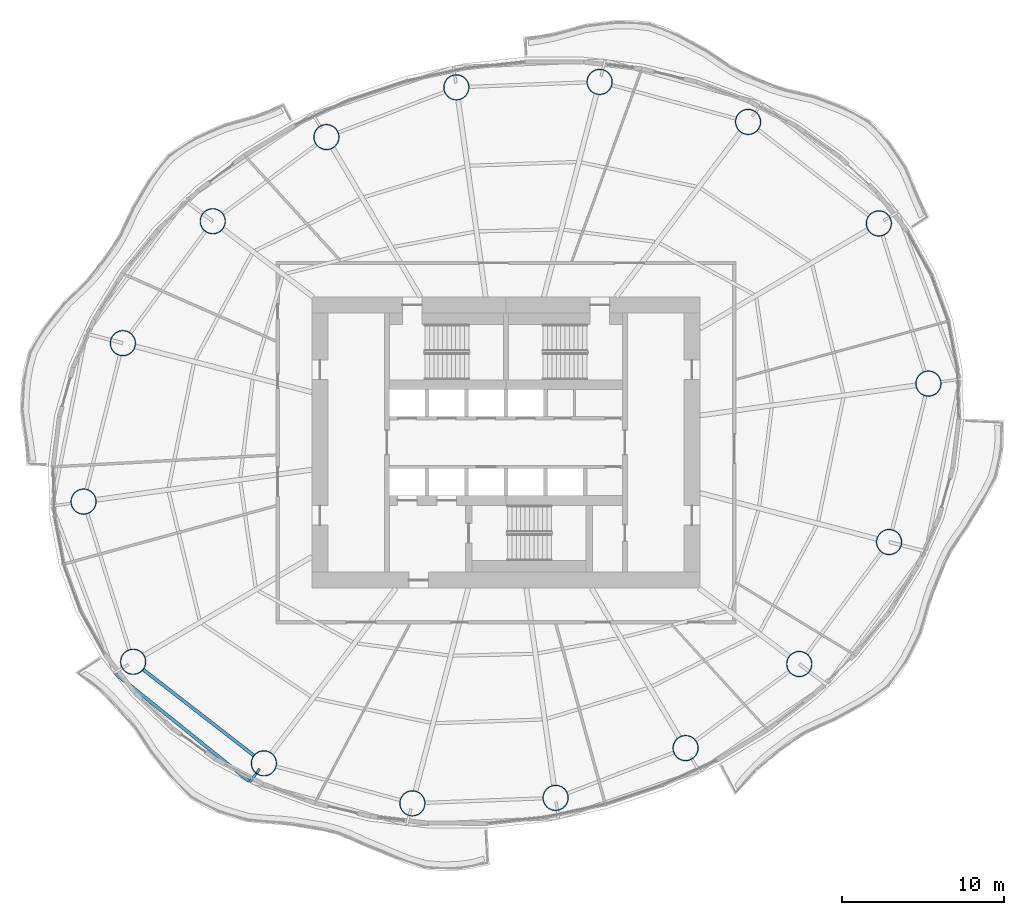
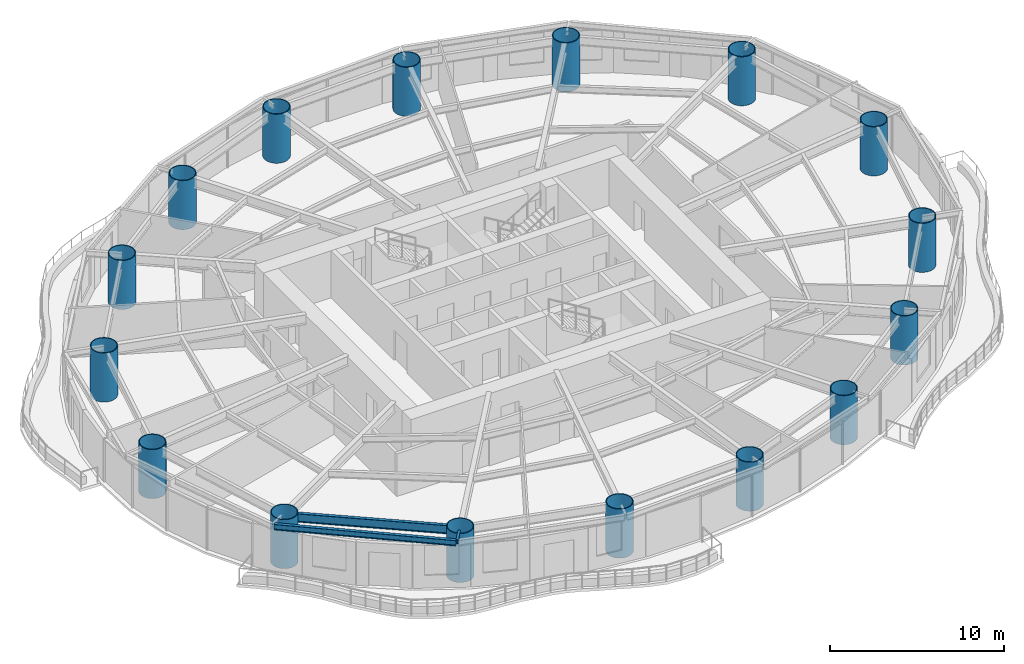
# One storey, part 1 of 16: 16 columns, 3 beams.
"""IFC4 building model written with IfcOpenShell, lengths in metres."""

from ifc_helpers import new_model, si_unit, direction, frame, origin, origin_2d, place, context, subcontext, project, spatial, hollow_circle, i_section, extrude, material, material_profile, profile_set, type_object, element, save


model = new_model("IFC4")

# Units and contexts
model_context = context("Model", 3, precision=1e-05, world=origin(), true_north=direction((0.0, 1.0)))
body_context = subcontext(model_context, "Body", "Model", "MODEL_VIEW")
ifc_project = project(units=[si_unit("LENGTHUNIT", "METRE"), si_unit("AREAUNIT", "SQUARE_METRE"), si_unit("VOLUMEUNIT", "CUBIC_METRE"), si_unit("PLANEANGLEUNIT", "RADIAN"), si_unit("MASSUNIT", "GRAM", prefix="KILO")], contexts=[model_context])

# Site, building, storey
site_placement = place(None, origin())
site = spatial("IfcSite", under=ifc_project, at=site_placement, CompositionType="ELEMENT")
building_placement = place(site_placement, origin())
building = spatial("IfcBuilding", under=site, at=building_placement, Name="Vermilion Reach Broadcast Tower", CompositionType="ELEMENT")
storey_placement = place(building_placement, frame((0.0, 0.0, 95.800048828125)))
storey = spatial("IfcBuildingStorey", under=building, at=storey_placement, Name="L21", CompositionType="ELEMENT", Elevation=95.800048828125)

# Columns
ifc_material_1 = material(Name="Concrete C80 infill in steel S460NL tube", Category="concrete")
ifc_material_profile_1 = material_profile(ifc_material_1, hollow_circle(Radius=0.800048828125, WallThickness=0.054931640625, at=origin_2d()), Name="Concrete C80 infill in steel S460NL tube CFT 1600x55")
ifc_profile_set_1 = profile_set([ifc_material_profile_1], Name="Concrete C80 infill in steel S460NL tube")
column_type = type_object("IfcColumnType", Name="MC2 CFT 1600x55", PredefinedType="COLUMN", material=ifc_profile_set_1)
for number, where, z_axis, x_axis, name in (
    (1, (17.04345703125, 13.546630859375, 0.0), (0.0, 0.0, 1.0), (1.0, 0.0, 0.0), "Mega-column MC2-01"),
    (2, (8.96337890625, 19.821044921875, 0.0), (0.0, 0.0, 1.0), (1.0, 0.0, 0.0), "Mega-column MC2-02"),
    (3, (-0.21337890625, 22.29443359375, 0.0), (0.0, 0.0, 1.0), (1.0, 0.0, 0.0), "Mega-column MC2-03"),
    (4, (-9.066162109375, 21.955810546875, 0.0), (0.0, 0.0, 1.0), (1.0, 0.0, 0.0), "Mega-column MC2-04"),
    (5, (-17.099609375, 18.881103515625, 0.0), (0.0, 0.0, 1.0), (1.0, 0.0, 0.0), "Mega-column MC2-05"),
    (6, (-24.12451171875, 13.6826171875, 0.0), (0.0, 0.0, 1.0), (1.0, 0.0, 0.0), "Mega-column MC2-06"),
    (7, (-29.6787109375, 6.145751953125, 0.0), (0.0, 0.0, 1.0), (1.0, 0.0, 0.0), "Mega-column MC2-07"),
    (8, (-32.10888671875, -3.646240234375, 0.0), (0.0, 0.0, 1.0), (1.0, 0.0, 0.0), "Mega-column MC2-08"),
    (9, (-29.04345703125, -13.546630859375, 0.0), (0.0, 0.0, 1.0), (1.0, 0.0, 0.0), "Mega-column MC2-09"),
    (10, (-20.96337890625, -19.821044921875, 0.0), (0.0, 0.0, 1.0), (1.0, 0.0, 0.0), "Mega-column MC2-10"),
    (11, (-11.78662109375, -22.29443359375, 0.0), (0.0, 0.0, 1.0), (1.0, 0.0, 0.0), "Mega-column MC2-11"),
    (12, (-2.933837890625, -21.955810546875, 0.0), (0.0, 0.0, 1.0), (1.0, 0.0, 0.0), "Mega-column MC2-12"),
    (13, (5.099609375, -18.881103515625, 0.0), (0.0, 0.0, 1.0), (1.0, 0.0, 0.0), "Mega-column MC2-13"),
    (14, (12.12451171875, -13.6826171875, 0.0), (0.0, 0.0, 1.0), (1.0, 0.0, 0.0), "Mega-column MC2-14"),
    (15, (17.6787109375, -6.145751953125, 0.0), (0.0, 0.0, 1.0), (1.0, 0.0, 0.0), "Mega-column MC2-15"),
    (16, (20.10888671875, 3.646240234375, 0.0), (0.0, 0.0, 1.0), (1.0, 0.0, 0.0), "Mega-column MC2-16"),
):
    element("IfcColumn", number, at=place(storey_placement, frame(where, z_axis=z_axis, x_axis=x_axis)), inside=storey, type_object=column_type, Name=name, PredefinedType="COLUMN", context=body_context, shape_type="SweptSolid", body=[
        extrude(hollow_circle(Radius=0.800048828125, WallThickness=0.054931640625, at=origin_2d()), origin(), (0.0, 0.0, 1.0), 3.449951171875),
    ])

# Beams
ifc_material_2 = material(Name="Steel S355J2", Category="steel")
ifc_material_profile_2 = material_profile(ifc_material_2, i_section(OverallWidth=0.199951171875, OverallDepth=0.39990234375, WebThickness=0.008056640625, FlangeThickness=0.012939453125, at=origin_2d()), Name="S355J2 HN 400x200x8x13")
ifc_profile_set_2 = profile_set([ifc_material_profile_2], Name="Steel S355J2")
beam_type_1 = type_object("IfcBeamType", Name="EB2 HN 400x200x8x13", PredefinedType="BEAM", material=ifc_profile_set_2)
beam_1_placement = place(storey_placement, frame((-30.13671875, -14.2763671875, 3.25), z_axis=(0.779127549678, -0.626865425217, 0.0), x_axis=(0.626865425217, 0.779127549678, 0.0)))
element("IfcBeam", 17, at=beam_1_placement, inside=storey, type_object=beam_type_1, Name="Edge beam EB2-09", PredefinedType="BEAM", context=body_context, shape_type="SweptSolid", body=[
    extrude(i_section(OverallWidth=0.199951171875, OverallDepth=0.39990234375, WebThickness=0.008056640625, FlangeThickness=0.012939453125, at=origin_2d()), origin(), (0.0, 0.0, 1.0), 10.59228515625),
])
ifc_material_3 = material(Name="Steel S355J2", Category="steel")
ifc_material_profile_3 = material_profile(ifc_material_3, i_section(OverallWidth=0.14990234375, OverallDepth=0.300048828125, WebThickness=0.006591796875, FlangeThickness=0.009033203125, at=origin_2d()), Name="S355J2 HN 300x150x6.5x9")
ifc_profile_set_3 = profile_set([ifc_material_profile_3], Name="Steel S355J2")
beam_type_2 = type_object("IfcBeamType", Name="GS2 HN 300x150x6.5x9", PredefinedType="BEAM", material=ifc_profile_set_3)
beam_2_placement = place(storey_placement, frame((-21.22314453125, -20.1650390625, 3.300048828125), z_axis=(-0.602536027779, -0.798091683473, 0.0), x_axis=(0.798091683473, -0.602536027779, 0.0)))
element("IfcBeam", 18, at=beam_2_placement, inside=storey, type_object=beam_type_2, Name="Cantilever stub GS2-10", PredefinedType="BEAM", context=body_context, shape_type="SweptSolid", body=[
    extrude(i_section(OverallWidth=0.14990234375, OverallDepth=0.300048828125, WebThickness=0.006591796875, FlangeThickness=0.009033203125, at=origin_2d()), origin(), (0.0, 0.0, 1.0), 1.0),
])
ifc_material_4 = material(Name="Steel S355J2", Category="steel")
ifc_material_profile_4 = material_profile(ifc_material_4, i_section(OverallWidth=0.199951171875, OverallDepth=0.60009765625, WebThickness=0.010986328125, FlangeThickness=0.01708984375, at=origin_2d()), Name="S355J2 HN 600x200x11x17")
ifc_profile_set_4 = profile_set([ifc_material_profile_4], Name="Steel S355J2")
beam_type_3 = type_object("IfcBeamType", Name="RB2 HN 600x200x11x17", PredefinedType="BEAM", material=ifc_profile_set_4)
beam_3_placement = place(storey_placement, frame((-28.41162109375, -14.037109375, 3.14990234375), z_axis=(0.789825712432, -0.613331349257, 0.0), x_axis=(0.613331349257, 0.789825712432, 0.0)))
element("IfcBeam", 19, at=beam_3_placement, inside=storey, type_object=beam_type_3, Name="Ring beam RB2-09", PredefinedType="BEAM", context=body_context, shape_type="SweptSolid", body=[
    extrude(i_section(OverallWidth=0.199951171875, OverallDepth=0.60009765625, WebThickness=0.010986328125, FlangeThickness=0.01708984375, at=origin_2d()), origin(), (0.0, 0.0, 1.0), 8.63037109375),
])

save(model, "model.ifc")
